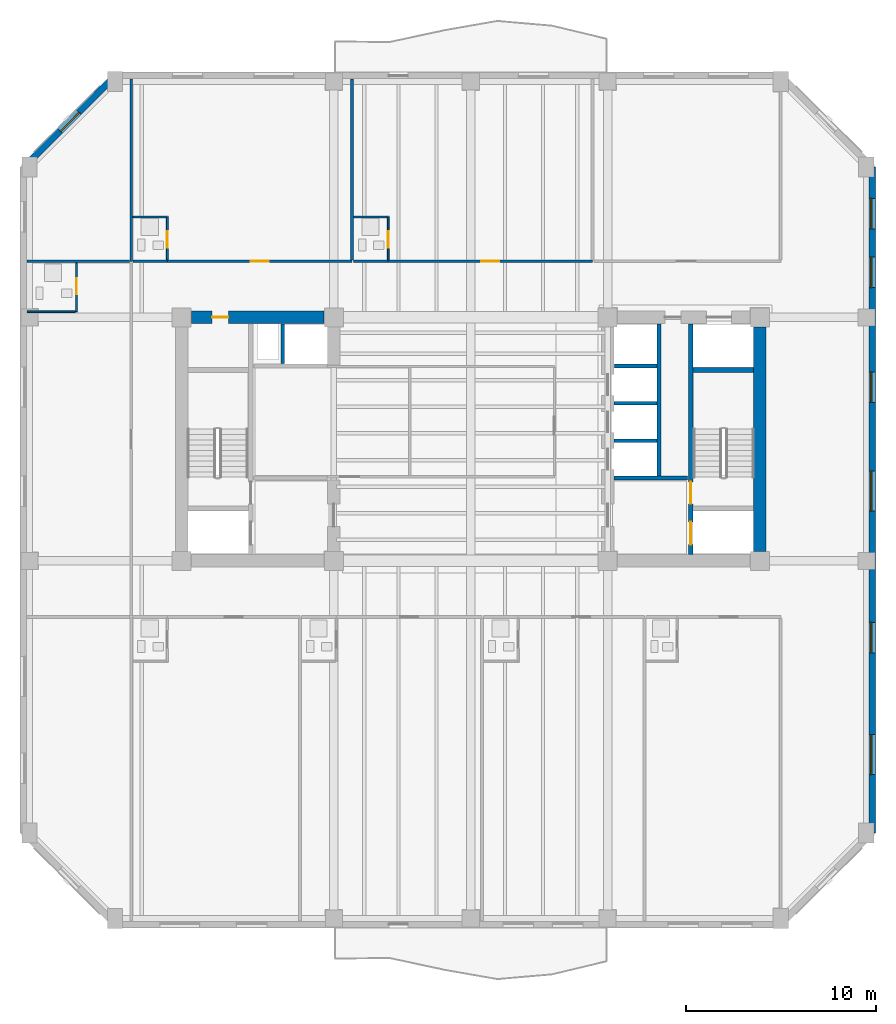
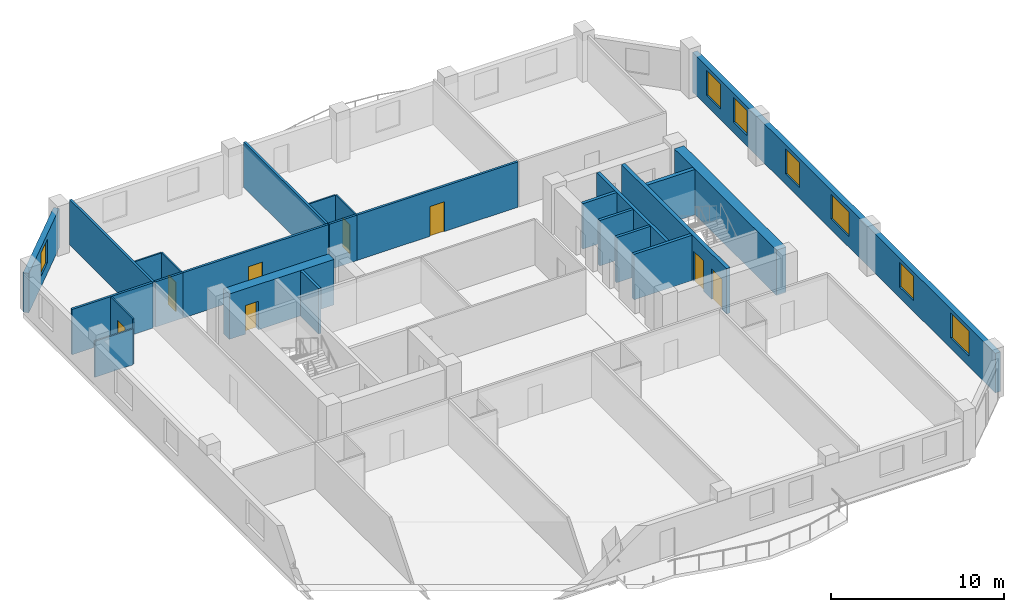
# One storey, part 4 of 10: 25 walls, 8 doors, 7 windows, 15 openings.
"""IFC4 building model written with IfcOpenShell, lengths in metres."""

import ifcopenshell
import ifcopenshell.guid

model = None  # the IFC model being written
_history = None  # IfcOwnerHistory: only IFC2X3 demands one
_inside = {}  # id of a spatial element -> (the spatial element, [elements in it])
_under = {}  # id of a project, library or spatial element -> (it, [spatial elements below it])
_declared = {}  # id of a project -> (the project, [libraries it declares])
_typed = {}  # id of a type object -> (the type object, [elements of that type])
_made_of = {}  # id of a material, layer set ... -> (it, [elements and type objects made of it])


def new_model(schema):
    """Start an empty IFC model of exactly this schema.

    Asked for "IFC4X3", IfcOpenShell would pick the latest addendum, in which some entities
    have other attributes; the version numbers below select the first issue.
    IFC2X3 requires an IfcOwnerHistory on every rooted entity: one is made here for all.
    """
    global model, _history
    if schema == "IFC4X3":
        model = ifcopenshell.file(schema_version=(4, 3, 0, 0))
    else:
        model = ifcopenshell.file(schema=schema)
    _inside.clear()
    _under.clear()
    _declared.clear()
    _typed.clear()
    _made_of.clear()
    _history = None
    if model.schema == "IFC2X3":
        org = make("IfcOrganization", Name="unknown")
        user = make(
            "IfcPersonAndOrganization",
            ThePerson=make("IfcPerson", FamilyName="unknown"),
            TheOrganization=org,
        )
        app = make(
            "IfcApplication",
            ApplicationDeveloper=org,
            Version="unknown",
            ApplicationFullName="unknown",
            ApplicationIdentifier="unknown",
        )
        _history = make(
            "IfcOwnerHistory",
            OwningUser=user,
            OwningApplication=app,
            ChangeAction="ADDED",
            CreationDate=0,
        )
    return model


def make(cls, **values):
    """One entity of the class cls with the attributes given. An attribute that is None is left unset."""
    return model.create_entity(
        cls, **{name: value for name, value in values.items() if value is not None}
    )


def rooted(cls, **values):
    """An entity with a GlobalId (a new one), such as an element, a storey or a relation."""
    return make(cls, GlobalId=ifcopenshell.guid.new(), OwnerHistory=_history, **values)


def si_unit(unit_type, name, prefix=None):
    """IfcSIUnit, for example si_unit("LENGTHUNIT", "METRE", prefix="MILLI")."""
    return make("IfcSIUnit", UnitType=unit_type, Prefix=prefix, Name=name)


def assignment(units):
    """IfcUnitAssignment: the units of a project."""
    return None if units is None else make("IfcUnitAssignment", Units=units)


def point(xyz):
    """IfcCartesianPoint."""
    return None if xyz is None else make("IfcCartesianPoint", Coordinates=xyz)


def direction(xyz):
    """IfcDirection."""
    return None if xyz is None else make("IfcDirection", DirectionRatios=xyz)


def frame(location, z_axis=None, x_axis=None):
    """IfcAxis2Placement3D, a coordinate frame: its origin and axes. An axis left out is left unset."""
    return make(
        "IfcAxis2Placement3D",
        Location=point(location),
        Axis=direction(z_axis),
        RefDirection=direction(x_axis),
    )


def frame_2d(location, x_axis=None):
    """IfcAxis2Placement2D, a coordinate frame in the plane: its origin and x axis."""
    return make(
        "IfcAxis2Placement2D", Location=point(location), RefDirection=direction(x_axis)
    )


def origin():
    """The frame at (0, 0, 0) with its axes left unset."""
    return frame((0.0, 0.0, 0.0))


def place(relative_to, where):
    """IfcLocalPlacement: puts the frame where relative to a parent placement (None: the world)."""
    return make(
        "IfcLocalPlacement", PlacementRelTo=relative_to, RelativePlacement=where
    )


def context(
    kind, dimensions, precision=None, world=None, true_north=None, identifier=None
):
    """IfcGeometricRepresentationContext, for example the 3D "Model" context."""
    return make(
        "IfcGeometricRepresentationContext",
        ContextIdentifier=identifier,
        ContextType=kind,
        CoordinateSpaceDimension=dimensions,
        Precision=precision,
        WorldCoordinateSystem=world,
        TrueNorth=true_north,
    )


def subcontext(parent, identifier, kind, view, scale=None):
    """IfcGeometricRepresentationSubContext, for example "Body" below "Model"."""
    return make(
        "IfcGeometricRepresentationSubContext",
        ContextIdentifier=identifier,
        ContextType=kind,
        ParentContext=parent,
        TargetScale=scale,
        TargetView=view,
    )


def project(units=None, contexts=None):
    """IfcProject with its units and contexts."""
    return rooted(
        "IfcProject",
        Name="project",
        RepresentationContexts=contexts,
        UnitsInContext=assignment(units),
    )


def spatial(cls, under=None, at=None, **own):
    """A site, building, storey or space (cls), placed at a placement, below another one or the project."""
    s = rooted(cls, ObjectPlacement=at, **own)
    if under is not None:
        _under.setdefault(under.id(), (under, []))[1].append(s)
    return s


def profile(cls, at=None, kind="AREA", **sizes):
    """A parametric profile (cls). Its sizes go by their IFC names, for example OverallWidth=200.0."""
    return make(cls, ProfileType=kind, Position=at, **sizes)


def rectangle(**sizes):
    """IfcRectangleProfileDef."""
    return profile("IfcRectangleProfileDef", **sizes)


def extrude(swept, where, along, depth):
    """IfcExtrudedAreaSolid: the profile swept, set in the frame where, extruded along a direction by depth."""
    return make(
        "IfcExtrudedAreaSolid",
        SweptArea=swept,
        Position=where,
        ExtrudedDirection=direction(along),
        Depth=depth,
    )


def shape(context_of_items, identifier, shape_type, items):
    """IfcShapeRepresentation: the items that make up one representation, for example the "Body"."""
    return make(
        "IfcShapeRepresentation",
        ContextOfItems=context_of_items,
        RepresentationIdentifier=identifier,
        RepresentationType=shape_type,
        Items=items,
    )


def material(Name=None, Category=None):
    """IfcMaterial."""
    return make("IfcMaterial", Name=Name, Category=Category)


def layer(
    of_material, thickness, ventilated=None, Name=None, Category=None, Priority=None
):
    """IfcMaterialLayer: one layer of a wall or slab, of a material (None: an air gap)."""
    return make(
        "IfcMaterialLayer",
        Material=of_material,
        LayerThickness=thickness,
        IsVentilated=ventilated,
        Name=Name,
        Category=Category,
        Priority=Priority,
    )


def layer_set(layers, Name=None):
    """IfcMaterialLayerSet."""
    return make("IfcMaterialLayerSet", MaterialLayers=layers, LayerSetName=Name)


def made_of(thing, what):
    """Note that an element or type object is made of a material, layer set ...; save() writes the relation."""
    if what is not None:
        _made_of.setdefault(what.id(), (what, []))[1].append(thing)
    return thing


def type_object(cls, material=None, **own):
    """A type object (cls), such as IfcWallType, which elements share."""
    return made_of(rooted(cls, **own), material)


def element(
    cls,
    number,
    at=None,
    inside=None,
    cuts=None,
    type_object=None,
    material=None,
    context=None,
    identifier="Body",
    shape_type=None,
    held_by="IfcProductDefinitionShape",
    body=None,
    shapes=None,
    **own,
):
    """One element of the class cls, such as IfcWall. Its Tag is "e" and its number.

    at: its placement. inside: the storey or other place that contains it. cuts: it is an
    opening in that element (IfcRelVoidsElement). A single representation is given by context,
    identifier, shape_type and body (its items); several are given by shapes. held_by: the class
    of the entity that holds the representations. save() writes the other relations.
    """
    e = rooted(cls, Tag="e%d" % number, ObjectPlacement=at, **own)
    if body is not None:
        shapes = [shape(context, identifier, shape_type, body)]
    if shapes is not None:
        e.Representation = make(held_by, Representations=shapes)
    if inside is not None:
        _inside.setdefault(inside.id(), (inside, []))[1].append(e)
    if cuts is not None:
        rooted(
            "IfcRelVoidsElement", RelatingBuildingElement=cuts, RelatedOpeningElement=e
        )
    if type_object is not None:
        _typed.setdefault(type_object.id(), (type_object, []))[1].append(e)
    return made_of(e, material)


def fill(opening, filler):
    """IfcRelFillsElement: the door or window that sits in an opening."""
    return rooted(
        "IfcRelFillsElement",
        RelatingOpeningElement=opening,
        RelatedBuildingElement=filler,
    )


def aggregate(whole, parts):
    """IfcRelAggregates: a whole, such as a stair, and the parts it consists of."""
    return rooted("IfcRelAggregates", RelatingObject=whole, RelatedObjects=parts)


def save(model, path):
    """Write the relations noted so far, then the file.

    IfcRelAggregates (storeys below a building ...), IfcRelContainedInSpatialStructure (elements
    in a storey), IfcRelDefinesByType, IfcRelAssociatesMaterial and IfcRelDeclares: one each for
    every whole, place, type object, material and project.
    """
    for whole, parts in _under.values():
        aggregate(whole, parts)
    for where, things in _inside.values():
        rooted(
            "IfcRelContainedInSpatialStructure",
            RelatedElements=things,
            RelatingStructure=where,
        )
    for kind, things in _typed.values():
        rooted("IfcRelDefinesByType", RelatedObjects=things, RelatingType=kind)
    for what, things in _made_of.values():
        rooted("IfcRelAssociatesMaterial", RelatedObjects=things, RelatingMaterial=what)
    for by, libraries in _declared.values():
        rooted("IfcRelDeclares", RelatingContext=by, RelatedDefinitions=libraries)
    model.write(path)


model = new_model("IFC4")

# Units and contexts
model_context = context("Model", 3, precision=1e-05, world=origin(), true_north=direction((0.0, 1.0)))
body_context = subcontext(model_context, "Body", "Model", "MODEL_VIEW")
ifc_project = project(units=[si_unit("LENGTHUNIT", "METRE"), si_unit("AREAUNIT", "SQUARE_METRE"), si_unit("VOLUMEUNIT", "CUBIC_METRE"), si_unit("PLANEANGLEUNIT", "RADIAN"), si_unit("MASSUNIT", "GRAM", prefix="KILO")], contexts=[model_context])

# Site, building, storey
site_placement = place(None, origin())
site = spatial("IfcSite", under=ifc_project, at=site_placement, CompositionType="ELEMENT")
building_placement = place(site_placement, origin())
building = spatial("IfcBuilding", under=site, at=building_placement, Name="Kranthara Brick Stack", CompositionType="ELEMENT")
storey_placement = place(building_placement, frame((0.0, 0.0, 127.300048828125)))
storey = spatial("IfcBuildingStorey", under=building, at=storey_placement, Name="L31", CompositionType="ELEMENT", Elevation=127.300048828125)

# Wall, opening, window
ifc_material_1 = material(Name="Kiln-fired clay brick masonry M15", Category="masonry")
ifc_layer_1 = layer(ifc_material_1, 0.35009765625)
ifc_layer_set_1 = layer_set([ifc_layer_1], Name="Kiln-fired clay brick masonry M15")
wall_type_1 = type_object("IfcWallType", Name="WL-BRK-SPND-350", PredefinedType="STANDARD", material=ifc_layer_set_1)
wall_1_placement = place(storey_placement, frame((4.4951171875, 41.5, 0.0), z_axis=(0.0, 0.0, 1.0), x_axis=(0.707106781187, 0.707106781187, 0.0)))
wall_1 = element("IfcWall", 1, at=wall_1_placement, inside=storey, type_object=wall_type_1, Name="L31 Exterior Brick Facade Wall NW 1", PredefinedType="STANDARD", context=body_context, shape_type="SweptSolid", body=[
    extrude(rectangle(XDim=6.795166015625, YDim=0.35009765625, at=frame_2d((3.3974609375, 0.0))), origin(), (0.0, 0.0, 1.0), 2.784912109375),
])
opening_1_placement = place(wall_1_placement, frame((2.697998046875, 0.0, 0.75)))
opening_1 = element("IfcOpeningElement", 2, at=opening_1_placement, cuts=wall_1, Name="Opening WN10", PredefinedType="OPENING", context=body_context, shape_type="SweptSolid", body=[
    extrude(rectangle(XDim=1.39990234375, YDim=1.64990234375, at=frame_2d((0.699951171875, 0.824951171875))), frame((0.0, 0.18505859375, 0.0), z_axis=(0.0, -1.0, 0.0), x_axis=(1.0, 0.0, 0.0)), (0.0, 0.0, 1.0), 0.3701171875),
])
ifc_material_2 = material(Name="Double-glazed low-E solar control glass", Category="glass")
window_type_1 = type_object("IfcWindowType", Name="WN-CHM-1400x1750", PartitioningType="SINGLE_PANEL", PredefinedType="WINDOW", material=ifc_material_2)
window_1_placement = place(opening_1_placement, origin())
window_1 = element("IfcWindow", 3, at=window_1_placement, inside=storey, type_object=window_type_1, Name="L31 NW Chamfer Corner Window", OverallHeight=1.64990234375, OverallWidth=1.39990234375, PartitioningType="SINGLE_PANEL", PredefinedType="WINDOW", context=body_context, shape_type="SweptSolid", body=[
    extrude(rectangle(XDim=1.39990234375, YDim=1.64990234375, at=frame_2d((0.699951171875, 0.824951171875))), frame((0.0, -0.010009765625, 0.0), z_axis=(0.0, -1.0, 0.0), x_axis=(1.0, 0.0, 0.0)), (0.0, 0.0, 1.0), 0.06005859375),
])
fill(opening_1, window_1)

# Wall, openings, windows
wall_2_placement = place(storey_placement, frame((49.10498046875, 41.5, 0.0), z_axis=(0.0, 0.0, 1.0), x_axis=(0.0, -1.0, 0.0)))
wall_2 = element("IfcWall", 4, at=wall_2_placement, inside=storey, type_object=wall_type_1, Name="L31 Exterior Brick Facade Wall EAST 1", PredefinedType="STANDARD", context=body_context, shape_type="SweptSolid", body=[
    extrude(rectangle(XDim=35.0, YDim=0.35009765625, at=frame_2d((17.5, 0.0))), origin(), (0.0, 0.0, 1.0), 2.784912109375),
])
opening_2_placement = place(wall_2_placement, frame((1.64501953125, 0.0, 0.75)))
opening_2 = element("IfcOpeningElement", 5, at=opening_2_placement, cuts=wall_2, Name="Opening WN04", PredefinedType="OPENING", context=body_context, shape_type="SweptSolid", body=[
    extrude(rectangle(XDim=1.60009765625, YDim=1.75, at=frame_2d((0.800048828125, 0.875))), frame((0.0, 0.18505859375, 0.0), z_axis=(0.0, -1.0, 0.0), x_axis=(1.0, 0.0, 0.0)), (0.0, 0.0, 1.0), 0.3701171875),
])
opening_3_placement = place(wall_2_placement, frame((4.72900390625, 0.0, 0.75)))
opening_3 = element("IfcOpeningElement", 6, at=opening_3_placement, cuts=wall_2, Name="Opening WN04", PredefinedType="OPENING", context=body_context, shape_type="SweptSolid", body=[
    extrude(rectangle(XDim=1.60009765625, YDim=1.75, at=frame_2d((0.800048828125, 0.875))), frame((0.0, 0.18505859375, 0.0), z_axis=(0.0, -1.0, 0.0), x_axis=(1.0, 0.0, 0.0)), (0.0, 0.0, 1.0), 0.3701171875),
])
opening_4_placement = place(wall_2_placement, frame((10.763916015625, 0.0, 0.75)))
opening_4 = element("IfcOpeningElement", 7, at=opening_4_placement, cuts=wall_2, Name="Opening WN04", PredefinedType="OPENING", context=body_context, shape_type="SweptSolid", body=[
    extrude(rectangle(XDim=1.60009765625, YDim=1.75, at=frame_2d((0.800048828125, 0.875))), frame((0.0, 0.18505859375, 0.0), z_axis=(0.0, -1.0, 0.0), x_axis=(1.0, 0.0, 0.0)), (0.0, 0.0, 1.0), 0.3701171875),
])
opening_5_placement = place(wall_2_placement, frame((15.986083984375, 0.0, 0.75)))
opening_5 = element("IfcOpeningElement", 8, at=opening_5_placement, cuts=wall_2, Name="Opening WN05", PredefinedType="OPENING", context=body_context, shape_type="SweptSolid", body=[
    extrude(rectangle(XDim=2.10009765625, YDim=1.75, at=frame_2d((1.050048828125, 0.875))), frame((0.0, 0.18505859375, 0.0), z_axis=(0.0, -1.0, 0.0), x_axis=(1.0, 0.0, 0.0)), (0.0, 0.0, 1.0), 0.3701171875),
])
opening_6_placement = place(wall_2_placement, frame((23.93408203125, 0.0, 0.75)))
opening_6 = element("IfcOpeningElement", 9, at=opening_6_placement, cuts=wall_2, Name="Opening WN04", PredefinedType="OPENING", context=body_context, shape_type="SweptSolid", body=[
    extrude(rectangle(XDim=1.60009765625, YDim=1.75, at=frame_2d((0.800048828125, 0.875))), frame((0.0, 0.18505859375, 0.0), z_axis=(0.0, -1.0, 0.0), x_axis=(1.0, 0.0, 0.0)), (0.0, 0.0, 1.0), 0.3701171875),
])
opening_7_placement = place(wall_2_placement, frame((29.841064453125, 0.0, 0.75)))
opening_7 = element("IfcOpeningElement", 10, at=opening_7_placement, cuts=wall_2, Name="Opening WN05", PredefinedType="OPENING", context=body_context, shape_type="SweptSolid", body=[
    extrude(rectangle(XDim=2.10009765625, YDim=1.75, at=frame_2d((1.050048828125, 0.875))), frame((0.0, 0.18505859375, 0.0), z_axis=(0.0, -1.0, 0.0), x_axis=(1.0, 0.0, 0.0)), (0.0, 0.0, 1.0), 0.3701171875),
])
ifc_material_3 = material(Name="Double-glazed low-E solar control glass", Category="glass")
window_type_2 = type_object("IfcWindowType", Name="WN-HTL-1600x1850", PartitioningType="DOUBLE_PANEL_VERTICAL", PredefinedType="WINDOW", material=ifc_material_3)
window_2_placement = place(opening_2_placement, origin())
window_2 = element("IfcWindow", 11, at=window_2_placement, inside=storey, type_object=window_type_2, Name="L31 East Deep-Set Brick Window 01", OverallHeight=1.75, OverallWidth=1.60009765625, PartitioningType="SINGLE_PANEL", PredefinedType="WINDOW", context=body_context, shape_type="SweptSolid", body=[
    extrude(rectangle(XDim=1.60009765625, YDim=1.75, at=frame_2d((0.800048828125, 0.875))), frame((0.0, -0.010009765625, 0.0), z_axis=(0.0, -1.0, 0.0), x_axis=(1.0, 0.0, 0.0)), (0.0, 0.0, 1.0), 0.06005859375),
])
fill(opening_2, window_2)
window_3_placement = place(opening_3_placement, origin())
window_3 = element("IfcWindow", 12, at=window_3_placement, inside=storey, type_object=window_type_2, Name="L31 East Deep-Set Brick Window 02", OverallHeight=1.75, OverallWidth=1.60009765625, PartitioningType="SINGLE_PANEL", PredefinedType="WINDOW", context=body_context, shape_type="SweptSolid", body=[
    extrude(rectangle(XDim=1.60009765625, YDim=1.75, at=frame_2d((0.800048828125, 0.875))), frame((0.0, -0.010009765625, 0.0), z_axis=(0.0, -1.0, 0.0), x_axis=(1.0, 0.0, 0.0)), (0.0, 0.0, 1.0), 0.06005859375),
])
fill(opening_3, window_3)
window_4_placement = place(opening_4_placement, origin())
window_4 = element("IfcWindow", 13, at=window_4_placement, inside=storey, type_object=window_type_2, Name="L31 East Deep-Set Brick Window 03", OverallHeight=1.75, OverallWidth=1.60009765625, PartitioningType="SINGLE_PANEL", PredefinedType="WINDOW", context=body_context, shape_type="SweptSolid", body=[
    extrude(rectangle(XDim=1.60009765625, YDim=1.75, at=frame_2d((0.800048828125, 0.875))), frame((0.0, -0.010009765625, 0.0), z_axis=(0.0, -1.0, 0.0), x_axis=(1.0, 0.0, 0.0)), (0.0, 0.0, 1.0), 0.06005859375),
])
fill(opening_4, window_4)
window_5_placement = place(opening_6_placement, origin())
window_5 = element("IfcWindow", 14, at=window_5_placement, inside=storey, type_object=window_type_2, Name="L31 East Deep-Set Brick Window 05", OverallHeight=1.75, OverallWidth=1.60009765625, PartitioningType="SINGLE_PANEL", PredefinedType="WINDOW", context=body_context, shape_type="SweptSolid", body=[
    extrude(rectangle(XDim=1.60009765625, YDim=1.75, at=frame_2d((0.800048828125, 0.875))), frame((0.0, -0.010009765625, 0.0), z_axis=(0.0, -1.0, 0.0), x_axis=(1.0, 0.0, 0.0)), (0.0, 0.0, 1.0), 0.06005859375),
])
fill(opening_6, window_5)
ifc_material_4 = material(Name="Double-glazed low-E solar control glass", Category="glass")
window_type_3 = type_object("IfcWindowType", Name="WN-HTL-2100x1850", PartitioningType="DOUBLE_PANEL_VERTICAL", PredefinedType="WINDOW", material=ifc_material_4)
window_6_placement = place(opening_5_placement, origin())
window_6 = element("IfcWindow", 15, at=window_6_placement, inside=storey, type_object=window_type_3, Name="L31 East Deep-Set Brick Window 04", OverallHeight=1.75, OverallWidth=2.10009765625, PartitioningType="SINGLE_PANEL", PredefinedType="WINDOW", context=body_context, shape_type="SweptSolid", body=[
    extrude(rectangle(XDim=2.10009765625, YDim=1.75, at=frame_2d((1.050048828125, 0.875))), frame((0.0, -0.010009765625, 0.0), z_axis=(0.0, -1.0, 0.0), x_axis=(1.0, 0.0, 0.0)), (0.0, 0.0, 1.0), 0.06005859375),
])
fill(opening_5, window_6)
window_7_placement = place(opening_7_placement, origin())
window_7 = element("IfcWindow", 16, at=window_7_placement, inside=storey, type_object=window_type_3, Name="L31 East Deep-Set Brick Window 06", OverallHeight=1.75, OverallWidth=2.10009765625, PartitioningType="SINGLE_PANEL", PredefinedType="WINDOW", context=body_context, shape_type="SweptSolid", body=[
    extrude(rectangle(XDim=2.10009765625, YDim=1.75, at=frame_2d((1.050048828125, 0.875))), frame((0.0, -0.010009765625, 0.0), z_axis=(0.0, -1.0, 0.0), x_axis=(1.0, 0.0, 0.0)), (0.0, 0.0, 1.0), 0.06005859375),
])
fill(opening_7, window_7)

# Wall, openings, doors
ifc_material_5 = material(Name="Concrete C50/60", Category="concrete")
ifc_layer_2 = layer(ifc_material_5, 0.25)
ifc_layer_set_2 = layer_set([ifc_layer_2], Name="Concrete C50/60")
wall_type_2 = type_object("IfcWallType", Name="WL-CORE-250", PredefinedType="SHEAR", material=ifc_layer_set_2)
wall_3_placement = place(storey_placement, frame((39.56494140625, 21.135009765625, 0.0), z_axis=(0.0, 0.0, 1.0), x_axis=(0.0, 1.0, 0.0)))
wall_3 = element("IfcWall", 17, at=wall_3_placement, inside=storey, type_object=wall_type_2, Name="L31 East Core Stair Bearing Spine Wall", PredefinedType="SHEAR", context=body_context, shape_type="SweptSolid", body=[
    extrude(rectangle(XDim=12.1298828125, YDim=0.25, at=frame_2d((6.06494140625, 0.0))), origin(), (0.0, 0.0, 1.0), 3.199951171875),
])
opening_8_placement = place(wall_3_placement, frame((0.514892578125, 0.0, 0.0)))
opening_8 = element("IfcOpeningElement", 18, at=opening_8_placement, cuts=wall_3, Name="Opening LD01", PredefinedType="OPENING", context=body_context, shape_type="SweptSolid", body=[
    extrude(rectangle(XDim=1.199951171875, YDim=2.14990234375, at=frame_2d((0.60009765625, 1.074951171875))), frame((0.0, 0.135009765625, 0.0), z_axis=(0.0, -1.0, 0.0), x_axis=(1.0, 0.0, 0.0)), (0.0, 0.0, 1.0), 0.27001953125),
])
opening_9_placement = place(wall_3_placement, frame((2.6650390625, 0.0, 0.0)))
opening_9 = element("IfcOpeningElement", 19, at=opening_9_placement, cuts=wall_3, Name="Opening D05", PredefinedType="OPENING", context=body_context, shape_type="SweptSolid", body=[
    extrude(rectangle(XDim=1.14990234375, YDim=2.14990234375, at=frame_2d((0.574951171875, 1.074951171875))), frame((0.0, 0.135009765625, 0.0), z_axis=(0.0, -1.0, 0.0), x_axis=(1.0, 0.0, 0.0)), (0.0, 0.0, 1.0), 0.27001953125),
])
ifc_material_6 = material(Name="Stainless steel sliding landing door", Category="steel")
door_type_1 = type_object("IfcDoorType", Name="DR-LD-FF1200", OperationType="DOUBLE_DOOR_SLIDING", PredefinedType="DOOR", material=ifc_material_6)
door_1_placement = place(opening_8_placement, origin())
door_1 = element("IfcDoor", 20, at=door_1_placement, inside=storey, type_object=door_type_1, Name="L31 Firefighting Lift FF-02 Landing Door", OperationType="DOUBLE_DOOR_SLIDING", OverallHeight=2.14990234375, OverallWidth=1.199951171875, PredefinedType="DOOR", context=body_context, shape_type="SweptSolid", body=[
    extrude(rectangle(XDim=1.199951171875, YDim=2.14990234375, at=frame_2d((0.60009765625, 1.074951171875))), frame((0.0, 0.02490234375, 0.0), z_axis=(0.0, -1.0, 0.0), x_axis=(1.0, 0.0, 0.0)), (0.0, 0.0, 1.0), 0.050048828125),
])
fill(opening_8, door_1)
ifc_material_7 = material(Name="Solid-core hardwood timber leaf in steel frame", Category="steel")
door_type_2 = type_object("IfcDoorType", Name="DR-ST-1150", OperationType="NOTDEFINED", PredefinedType="DOOR", material=ifc_material_7)
door_2_placement = place(opening_9_placement, origin())
door_2 = element("IfcDoor", 21, at=door_2_placement, inside=storey, type_object=door_type_2, Name="L31 Exit Stair ST02 Door", OperationType="SINGLE_SWING_LEFT", OverallHeight=2.14990234375, OverallWidth=1.14990234375, PredefinedType="DOOR", context=body_context, shape_type="SweptSolid", body=[
    extrude(rectangle(XDim=1.14990234375, YDim=2.14990234375, at=frame_2d((0.574951171875, 1.074951171875))), frame((0.0, 0.02490234375, 0.0), z_axis=(0.0, -1.0, 0.0), x_axis=(1.0, 0.0, 0.0)), (0.0, 0.0, 1.0), 0.050048828125),
])
fill(opening_9, door_2)

# Wall
wall_4_placement = place(storey_placement, frame((39.68994140625, 30.830078125, 0.0), z_axis=(0.0, 0.0, 1.0), x_axis=(1.0, 0.0, 0.0)))
element("IfcWall", 22, at=wall_4_placement, inside=storey, type_object=wall_type_2, Name="L31 East Stairwell Bearing Wall EST", PredefinedType="SHEAR", context=body_context, shape_type="SweptSolid", body=[
    extrude(rectangle(XDim=3.175048828125, YDim=0.25, at=frame_2d((1.58740234375, 0.0))), origin(), (0.0, 0.0, 1.0), 3.199951171875),
])

# Wall, opening, door
ifc_material_8 = material(Name="Concrete C60/75", Category="concrete")
ifc_layer_3 = layer(ifc_material_8, 0.64990234375)
ifc_layer_set_3 = layer_set([ifc_layer_3], Name="Concrete C60/75")
wall_type_3 = type_object("IfcWallType", Name="WL-CORE-650", PredefinedType="SHEAR", material=ifc_layer_set_3)
wall_5_placement = place(storey_placement, frame((13.304931640625, 33.60009765625, 0.0), z_axis=(0.0, 0.0, 1.0), x_axis=(1.0, 0.0, 0.0)))
wall_5 = element("IfcWall", 23, at=wall_5_placement, inside=storey, type_object=wall_type_3, Name="L31 West Core Shear Wall North", PredefinedType="SHEAR", context=body_context, shape_type="SweptSolid", body=[
    extrude(rectangle(XDim=6.989990234375, YDim=0.64990234375, at=frame_2d((3.4951171875, 0.0))), origin(), (0.0, 0.0, 1.0), 3.199951171875),
])
opening_10_placement = place(wall_5_placement, frame((1.094970703125, 0.0, 0.0)))
opening_10 = element("IfcOpeningElement", 24, at=opening_10_placement, cuts=wall_5, Name="Opening D10", PredefinedType="OPENING", context=body_context, shape_type="SweptSolid", body=[
    extrude(rectangle(XDim=0.85009765625, YDim=2.02001953125, at=frame_2d((0.425048828125, 1.010009765625))), frame((0.0, 0.3349609375, 0.0), z_axis=(0.0, -1.0, 0.0), x_axis=(1.0, 0.0, 0.0)), (0.0, 0.0, 1.0), 0.669921875),
])
ifc_material_9 = material(Name="Solid-core hardwood timber leaf in steel frame", Category="steel")
door_type_3 = type_object("IfcDoorType", Name="DR-RSR-850", OperationType="NOTDEFINED", PredefinedType="DOOR", material=ifc_material_9)
door_3_placement = place(opening_10_placement, origin())
door_3 = element("IfcDoor", 25, at=door_3_placement, inside=storey, type_object=door_type_3, Name="L31 West Core Service Door 1", OperationType="SINGLE_SWING_LEFT", OverallHeight=2.02001953125, OverallWidth=0.85009765625, PredefinedType="DOOR", context=body_context, shape_type="SweptSolid", body=[
    extrude(rectangle(XDim=0.85009765625, YDim=2.02001953125, at=frame_2d((0.425048828125, 1.010009765625))), frame((0.0, 0.02490234375, 0.0), z_axis=(0.0, -1.0, 0.0), x_axis=(1.0, 0.0, 0.0)), (0.0, 0.0, 1.0), 0.050048828125),
])
fill(opening_10, door_3)

# Wall
wall_6_placement = place(storey_placement, frame((43.199951171875, 21.304931640625, 0.0), z_axis=(0.0, 0.0, 1.0), x_axis=(0.0, 1.0, 0.0)))
element("IfcWall", 26, at=wall_6_placement, inside=storey, type_object=wall_type_3, Name="L31 East Core Shear Wall East", PredefinedType="SHEAR", context=body_context, shape_type="SweptSolid", body=[
    extrude(rectangle(XDim=11.7900390625, YDim=0.64990234375, at=frame_2d((5.89501953125, 0.0))), origin(), (0.0, 0.0, 1.0), 3.199951171875),
])

# Wall, opening, door
ifc_material_10 = material(Name="Moisture-resistant wet-room partition", Category="other")
ifc_layer_4 = layer(ifc_material_10, 0.10009765625)
ifc_layer_set_4 = layer_set([ifc_layer_4], Name="Moisture-resistant wet-room partition")
wall_type_4 = type_object("IfcWallType", Name="WL-PART-100", PredefinedType="PARTITIONING", material=ifc_layer_set_4)
wall_7_placement = place(storey_placement, frame((12.050048828125, 36.6298828125, 0.0), z_axis=(0.0, 0.0, 1.0), x_axis=(0.0, 1.0, 0.0)))
wall_7 = element("IfcWall", 27, at=wall_7_placement, inside=storey, type_object=wall_type_4, Name="L31 Interior Partition 029", PredefinedType="PARTITIONING", context=body_context, shape_type="SweptSolid", body=[
    extrude(rectangle(XDim=2.25, YDim=0.10009765625, at=frame_2d((1.125, 0.0))), origin(), (0.0, 0.0, 1.0), 3.199951171875),
])
opening_11_placement = place(wall_7_placement, frame((0.639892578125, 0.0, 0.0)))
opening_11 = element("IfcOpeningElement", 28, at=opening_11_placement, cuts=wall_7, Name="Opening D17", PredefinedType="OPENING", context=body_context, shape_type="SweptSolid", body=[
    extrude(rectangle(XDim=0.85009765625, YDim=2.050048828125, at=frame_2d((0.425048828125, 1.02490234375))), frame((0.0, 0.06005859375, 0.0), z_axis=(0.0, -1.0, 0.0), x_axis=(1.0, 0.0, 0.0)), (0.0, 0.0, 1.0), 0.1201171875),
])
ifc_material_11 = material(Name="Solid-core hardwood timber leaf in steel frame", Category="steel")
door_type_4 = type_object("IfcDoorType", Name="DR-WET-850", OperationType="NOTDEFINED", PredefinedType="DOOR", material=ifc_material_11)
door_4_placement = place(opening_11_placement, origin())
door_4 = element("IfcDoor", 29, at=door_4_placement, inside=storey, type_object=door_type_4, Name="L31 Key 05 En-Suite Door 11", OperationType="SINGLE_SWING_LEFT", OverallHeight=2.050048828125, OverallWidth=0.85009765625, PredefinedType="DOOR", context=body_context, shape_type="SweptSolid", body=[
    extrude(rectangle(XDim=0.85009765625, YDim=2.050048828125, at=frame_2d((0.425048828125, 1.02490234375))), frame((0.0, 0.02490234375, 0.0), z_axis=(0.0, -1.0, 0.0), x_axis=(1.0, 0.0, 0.0)), (0.0, 0.0, 1.0), 0.050048828125),
])
fill(opening_11, door_4)

# Wall
wall_8_placement = place(storey_placement, frame((10.22998046875, 38.8798828125, 0.0), z_axis=(0.0, 0.0, 1.0), x_axis=(1.0, 0.0, 0.0)))
element("IfcWall", 30, at=wall_8_placement, inside=storey, type_object=wall_type_4, Name="L31 Interior Partition 030", PredefinedType="PARTITIONING", context=body_context, shape_type="SweptSolid", body=[
    extrude(rectangle(XDim=1.76513671875, YDim=0.10009765625, at=frame_2d((0.882568359375, 0.0))), origin(), (0.0, 0.0, 1.0), 3.199951171875),
])

# Wall, opening, door
wall_9_placement = place(storey_placement, frame((23.660888671875, 36.6298828125, 0.0), z_axis=(0.0, 0.0, 1.0), x_axis=(0.0, 1.0, 0.0)))
wall_9 = element("IfcWall", 31, at=wall_9_placement, inside=storey, type_object=wall_type_4, Name="L31 Interior Partition 034", PredefinedType="PARTITIONING", context=body_context, shape_type="SweptSolid", body=[
    extrude(rectangle(XDim=2.25, YDim=0.10009765625, at=frame_2d((1.125, 0.0))), origin(), (0.0, 0.0, 1.0), 3.199951171875),
])
opening_12_placement = place(wall_9_placement, frame((0.639892578125, 0.0, 0.0)))
opening_12 = element("IfcOpeningElement", 32, at=opening_12_placement, cuts=wall_9, Name="Opening D17", PredefinedType="OPENING", context=body_context, shape_type="SweptSolid", body=[
    extrude(rectangle(XDim=0.85009765625, YDim=2.050048828125, at=frame_2d((0.425048828125, 1.02490234375))), frame((0.0, 0.06005859375, 0.0), z_axis=(0.0, -1.0, 0.0), x_axis=(1.0, 0.0, 0.0)), (0.0, 0.0, 1.0), 0.1201171875),
])
door_5_placement = place(opening_12_placement, origin())
door_5 = element("IfcDoor", 33, at=door_5_placement, inside=storey, type_object=door_type_4, Name="L31 Key 06 En-Suite Door 13", OperationType="SINGLE_SWING_LEFT", OverallHeight=2.050048828125, OverallWidth=0.85009765625, PredefinedType="DOOR", context=body_context, shape_type="SweptSolid", body=[
    extrude(rectangle(XDim=0.85009765625, YDim=2.050048828125, at=frame_2d((0.425048828125, 1.02490234375))), frame((0.0, 0.02490234375, 0.0), z_axis=(0.0, -1.0, 0.0), x_axis=(1.0, 0.0, 0.0)), (0.0, 0.0, 1.0), 0.050048828125),
])
fill(opening_12, door_5)

# Wall
wall_10_placement = place(storey_placement, frame((21.841064453125, 38.8798828125, 0.0), z_axis=(0.0, 0.0, 1.0), x_axis=(1.0, 0.0, 0.0)))
element("IfcWall", 34, at=wall_10_placement, inside=storey, type_object=wall_type_4, Name="L31 Interior Partition 035", PredefinedType="PARTITIONING", context=body_context, shape_type="SweptSolid", body=[
    extrude(rectangle(XDim=1.764892578125, YDim=0.10009765625, at=frame_2d((0.88232421875, 0.0))), origin(), (0.0, 0.0, 1.0), 3.199951171875),
])

# Wall, opening, door
wall_11_placement = place(storey_placement, frame((7.27001953125, 33.89990234375, 0.0), z_axis=(0.0, 0.0, 1.0), x_axis=(0.0, 1.0, 0.0)))
wall_11 = element("IfcWall", 35, at=wall_11_placement, inside=storey, type_object=wall_type_4, Name="L31 Interior Partition 042", PredefinedType="PARTITIONING", context=body_context, shape_type="SweptSolid", body=[
    extrude(rectangle(XDim=2.570068359375, YDim=0.10009765625, at=frame_2d((1.28515625, 0.0))), origin(), (0.0, 0.0, 1.0), 3.199951171875),
])
opening_13_placement = place(wall_11_placement, frame((0.905029296875, 0.0, 0.0)))
opening_13 = element("IfcOpeningElement", 36, at=opening_13_placement, cuts=wall_11, Name="Opening D17", PredefinedType="OPENING", context=body_context, shape_type="SweptSolid", body=[
    extrude(rectangle(XDim=0.85009765625, YDim=2.050048828125, at=frame_2d((0.425048828125, 1.02490234375))), frame((0.0, 0.06005859375, 0.0), z_axis=(0.0, -1.0, 0.0), x_axis=(1.0, 0.0, 0.0)), (0.0, 0.0, 1.0), 0.1201171875),
])
door_6_placement = place(opening_13_placement, origin())
door_6 = element("IfcDoor", 37, at=door_6_placement, inside=storey, type_object=door_type_4, Name="L31 West Key 8 Bath 16", OperationType="SINGLE_SWING_RIGHT", OverallHeight=2.050048828125, OverallWidth=0.85009765625, PredefinedType="DOOR", context=body_context, shape_type="SweptSolid", body=[
    extrude(rectangle(XDim=0.85009765625, YDim=2.050048828125, at=frame_2d((0.425048828125, 1.02490234375))), frame((0.0, 0.02490234375, 0.0), z_axis=(0.0, -1.0, 0.0), x_axis=(1.0, 0.0, 0.0)), (0.0, 0.0, 1.0), 0.050048828125),
])
fill(opening_13, door_6)

# Walls
wall_12_placement = place(storey_placement, frame((4.675048828125, 33.89990234375, 0.0), z_axis=(0.0, 0.0, 1.0), x_axis=(1.0, 0.0, 0.0)))
element("IfcWall", 38, at=wall_12_placement, inside=storey, type_object=wall_type_4, Name="L31 Interior Partition 043", PredefinedType="PARTITIONING", context=body_context, shape_type="SweptSolid", body=[
    extrude(rectangle(XDim=2.5400390625, YDim=0.10009765625, at=frame_2d((1.27001953125, 0.0))), origin(), (0.0, 0.0, 1.0), 2.534912109375),
])
ifc_material_12 = material(Name="Fire-rated gypsum board partition", Category="other")
ifc_layer_5 = layer(ifc_material_12, 0.14990234375)
ifc_layer_set_5 = layer_set([ifc_layer_5], Name="Fire-rated gypsum board partition")
wall_type_5 = type_object("IfcWallType", Name="WL-PART-150", PredefinedType="PARTITIONING", material=ifc_layer_set_5)
wall_13_placement = place(storey_placement, frame((10.14990234375, 36.550048828125, 0.0), z_axis=(0.0, 0.0, 1.0), x_axis=(0.0, 1.0, 0.0)))
element("IfcWall", 39, at=wall_13_placement, inside=storey, type_object=wall_type_5, Name="L31 Interior Partition 026", PredefinedType="PARTITIONING", context=body_context, shape_type="SweptSolid", body=[
    extrude(rectangle(XDim=9.574951171875, YDim=0.14990234375, at=frame_2d((4.78759765625, 0.0))), origin(), (0.0, 0.0, 1.0), 3.199951171875),
])
wall_14_placement = place(storey_placement, frame((10.22998046875, 36.550048828125, 0.0), z_axis=(0.0, 0.0, 1.0), x_axis=(1.0, 0.0, 0.0)))
element("IfcWall", 40, at=wall_14_placement, inside=storey, type_object=wall_type_5, Name="L31 Interior Partition 027", PredefinedType="PARTITIONING", context=body_context, shape_type="SweptSolid", body=[
    extrude(rectangle(XDim=1.820068359375, YDim=0.14990234375, at=frame_2d((0.91015625, 0.0))), origin(), (0.0, 0.0, 1.0), 3.199951171875),
])

# Wall, opening, door
wall_15_placement = place(storey_placement, frame((12.050048828125, 36.550048828125, 0.0), z_axis=(0.0, 0.0, 1.0), x_axis=(1.0, 0.0, 0.0)))
wall_15 = element("IfcWall", 41, at=wall_15_placement, inside=storey, type_object=wall_type_5, Name="L31 Interior Partition 028", PredefinedType="PARTITIONING", context=body_context, shape_type="SweptSolid", body=[
    extrude(rectangle(XDim=9.7109375, YDim=0.14990234375, at=frame_2d((4.85546875, 0.0))), origin(), (0.0, 0.0, 1.0), 3.199951171875),
])
opening_14_placement = place(wall_15_placement, frame((4.375, 0.0, 0.0)))
opening_14 = element("IfcOpeningElement", 42, at=opening_14_placement, cuts=wall_15, Name="Opening D09", PredefinedType="OPENING", context=body_context, shape_type="SweptSolid", body=[
    extrude(rectangle(XDim=0.949951171875, YDim=2.10009765625, at=frame_2d((0.47509765625, 1.050048828125))), frame((0.0, 0.0849609375, 0.0), z_axis=(0.0, -1.0, 0.0), x_axis=(1.0, 0.0, 0.0)), (0.0, 0.0, 1.0), 0.169921875),
])
ifc_material_13 = material(Name="Solid-core hardwood timber leaf in steel frame", Category="steel")
door_type_5 = type_object("IfcDoorType", Name="DR-FD-950", OperationType="NOTDEFINED", PredefinedType="DOOR", material=ifc_material_13)
door_7_placement = place(opening_14_placement, origin())
door_7 = element("IfcDoor", 43, at=door_7_placement, inside=storey, type_object=door_type_5, Name="L31 Key 05 Entry 12", OperationType="SINGLE_SWING_RIGHT", OverallHeight=2.10009765625, OverallWidth=0.949951171875, PredefinedType="DOOR", context=body_context, shape_type="SweptSolid", body=[
    extrude(rectangle(XDim=0.949951171875, YDim=2.10009765625, at=frame_2d((0.47509765625, 1.050048828125))), frame((0.0, 0.02490234375, 0.0), z_axis=(0.0, -1.0, 0.0), x_axis=(1.0, 0.0, 0.0)), (0.0, 0.0, 1.0), 0.050048828125),
])
fill(opening_14, door_7)

# Walls
wall_16_placement = place(storey_placement, frame((21.760986328125, 36.6298828125, 0.0), z_axis=(0.0, 0.0, 1.0), x_axis=(0.0, 1.0, 0.0)))
element("IfcWall", 44, at=wall_16_placement, inside=storey, type_object=wall_type_5, Name="L31 Interior Partition 031", PredefinedType="PARTITIONING", context=body_context, shape_type="SweptSolid", body=[
    extrude(rectangle(XDim=9.4951171875, YDim=0.14990234375, at=frame_2d((4.74755859375, 0.0))), origin(), (0.0, 0.0, 1.0), 3.199951171875),
])
wall_17_placement = place(storey_placement, frame((21.841064453125, 36.550048828125, 0.0), z_axis=(0.0, 0.0, 1.0), x_axis=(1.0, 0.0, 0.0)))
element("IfcWall", 45, at=wall_17_placement, inside=storey, type_object=wall_type_5, Name="L31 Interior Partition 032", PredefinedType="PARTITIONING", context=body_context, shape_type="SweptSolid", body=[
    extrude(rectangle(XDim=1.81982421875, YDim=0.14990234375, at=frame_2d((0.909912109375, 0.0))), origin(), (0.0, 0.0, 1.0), 3.199951171875),
])

# Wall, opening, door
wall_18_placement = place(storey_placement, frame((23.660888671875, 36.550048828125, 0.0), z_axis=(0.0, 0.0, 1.0), x_axis=(1.0, 0.0, 0.0)))
wall_18 = element("IfcWall", 46, at=wall_18_placement, inside=storey, type_object=wall_type_5, Name="L31 Interior Partition 033", PredefinedType="PARTITIONING", context=body_context, shape_type="SweptSolid", body=[
    extrude(rectangle(XDim=10.735107421875, YDim=0.14990234375, at=frame_2d((5.36767578125, 0.0))), origin(), (0.0, 0.0, 1.0), 3.199951171875),
])
opening_15_placement = place(wall_18_placement, frame((4.887939453125, 0.0, 0.0)))
opening_15 = element("IfcOpeningElement", 47, at=opening_15_placement, cuts=wall_18, Name="Opening D09", PredefinedType="OPENING", context=body_context, shape_type="SweptSolid", body=[
    extrude(rectangle(XDim=0.949951171875, YDim=2.10009765625, at=frame_2d((0.47509765625, 1.050048828125))), frame((0.0, 0.0849609375, 0.0), z_axis=(0.0, -1.0, 0.0), x_axis=(1.0, 0.0, 0.0)), (0.0, 0.0, 1.0), 0.169921875),
])
door_8_placement = place(opening_15_placement, origin())
door_8 = element("IfcDoor", 48, at=door_8_placement, inside=storey, type_object=door_type_5, Name="L31 Key 06 Entry 14", OperationType="SINGLE_SWING_RIGHT", OverallHeight=2.10009765625, OverallWidth=0.949951171875, PredefinedType="DOOR", context=body_context, shape_type="SweptSolid", body=[
    extrude(rectangle(XDim=0.949951171875, YDim=2.10009765625, at=frame_2d((0.47509765625, 1.050048828125))), frame((0.0, 0.02490234375, 0.0), z_axis=(0.0, -1.0, 0.0), x_axis=(1.0, 0.0, 0.0)), (0.0, 0.0, 1.0), 0.050048828125),
])
fill(opening_15, door_8)

# Walls
wall_19_placement = place(storey_placement, frame((4.675048828125, 36.550048828125, 0.0), z_axis=(0.0, 0.0, 1.0), x_axis=(1.0, 0.0, 0.0)))
element("IfcWall", 49, at=wall_19_placement, inside=storey, type_object=wall_type_5, Name="L31 Interior Partition 040", PredefinedType="PARTITIONING", context=body_context, shape_type="SweptSolid", body=[
    extrude(rectangle(XDim=5.39501953125, YDim=0.14990234375, at=frame_2d((2.697509765625, 0.0))), origin(), (0.0, 0.0, 1.0), 3.199951171875),
])
ifc_material_14 = material(Name="Gypsum plasterboard on acoustic twin stud", Category="other")
ifc_layer_6 = layer(ifc_material_14, 0.179931640625)
ifc_layer_set_6 = layer_set([ifc_layer_6], Name="Gypsum plasterboard on acoustic twin stud")
wall_type_6 = type_object("IfcWallType", Name="WL-PART-180", PredefinedType="PARTITIONING", material=ifc_layer_set_6)
wall_20_placement = place(storey_placement, frame((18.1201171875, 31.169921875, 0.0), z_axis=(0.0, 0.0, 1.0), x_axis=(0.0, 1.0, 0.0)))
element("IfcWall", 50, at=wall_20_placement, inside=storey, type_object=wall_type_6, Name="L31 PL-07 Shaft Back Wall", PredefinedType="PARTITIONING", context=body_context, shape_type="SweptSolid", body=[
    extrude(rectangle(XDim=2.094970703125, YDim=0.179931640625, at=frame_2d((1.04736328125, 0.0))), origin(), (0.0, 0.0, 1.0), 3.199951171875),
])
for number, where, z_axis, x_axis, name in (
    (51, (35.534912109375, 27.1201171875, 0.0), (0.0, 0.0, 1.0), (1.0, 0.0, 0.0), "L31 East Hoistway Wall EH1"),
    (52, (35.534912109375, 29.080078125, 0.0), (0.0, 0.0, 1.0), (1.0, 0.0, 0.0), "L31 East Hoistway Wall EH2"),
):
    element("IfcWall", number, at=place(storey_placement, frame(where, z_axis=z_axis, x_axis=x_axis)), inside=storey, type_object=wall_type_6, Name=name, PredefinedType="PARTITIONING", context=body_context, shape_type="SweptSolid", body=[
        extrude(rectangle(XDim=2.2451171875, YDim=0.179931640625, at=frame_2d((1.12255859375, 0.0))), origin(), (0.0, 0.0, 1.0), 3.199951171875),
    ])
ifc_material_15 = material(Name="Concrete C40/50", Category="concrete")
ifc_layer_7 = layer(ifc_material_15, 0.199951171875)
ifc_layer_set_7 = layer_set([ifc_layer_7], Name="Concrete C40/50")
wall_type_7 = type_object("IfcWallType", Name="WL-PART-200", PredefinedType="SOLIDWALL", material=ifc_layer_set_7)
wall_21_placement = place(storey_placement, frame((35.534912109375, 25.14990234375, 0.0), z_axis=(0.0, 0.0, 1.0), x_axis=(1.0, 0.0, 0.0)))
element("IfcWall", 53, at=wall_21_placement, inside=storey, type_object=wall_type_7, Name="L31 East Core Cross Wall EFL", PredefinedType="SOLIDWALL", context=body_context, shape_type="SweptSolid", body=[
    extrude(rectangle(XDim=3.864990234375, YDim=0.199951171875, at=frame_2d((1.9326171875, 0.0))), origin(), (0.0, 0.0, 1.0), 3.199951171875),
])
wall_22_placement = place(storey_placement, frame((35.550048828125, 31.050048828125, 0.0), z_axis=(0.0, 0.0, 1.0), x_axis=(1.0, 0.0, 0.0)))
element("IfcWall", 54, at=wall_22_placement, inside=storey, type_object=wall_type_7, Name="L31 East Core Cross Wall EE4", PredefinedType="SOLIDWALL", context=body_context, shape_type="SweptSolid", body=[
    extrude(rectangle(XDim=2.25, YDim=0.199951171875, at=frame_2d((1.125, 0.0))), origin(), (0.0, 0.0, 1.0), 3.199951171875),
])
wall_23_placement = place(storey_placement, frame((37.89990234375, 25.27001953125, 0.0), z_axis=(0.0, 0.0, 1.0), x_axis=(0.0, 1.0, 0.0)))
element("IfcWall", 55, at=wall_23_placement, inside=storey, type_object=wall_type_7, Name="L31 East Core Cross Wall ESV", PredefinedType="SOLIDWALL", context=body_context, shape_type="SweptSolid", body=[
    extrude(rectangle(XDim=7.994873046875, YDim=0.199951171875, at=frame_2d((3.99755859375, 0.0))), origin(), (0.0, 0.0, 1.0), 3.199951171875),
])

save(model, "model.ifc")
